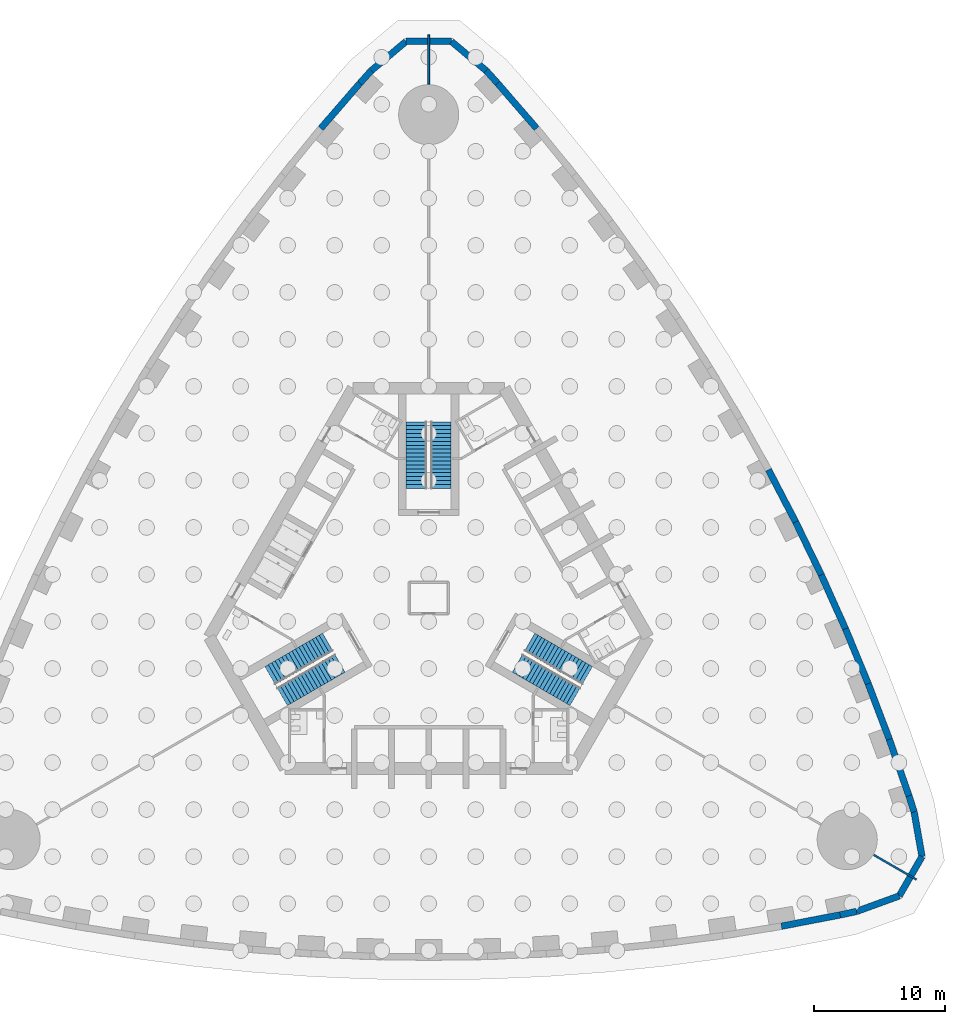
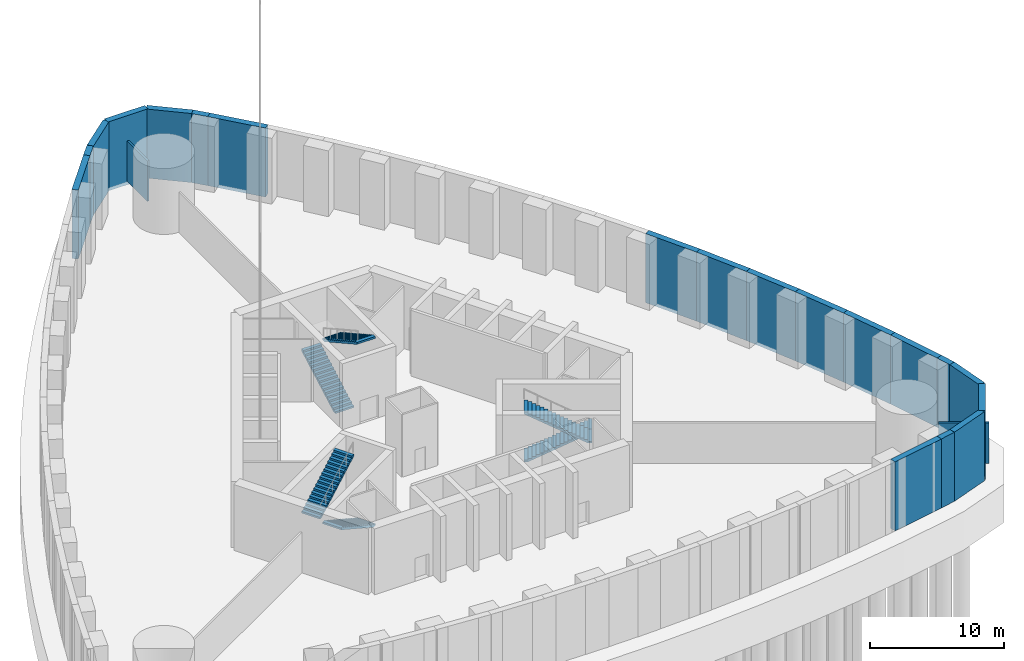
# One storey, part 5 of 12: 21 walls, 6 stair flights, 3 elements without a shape of their own.
"""IFC4 building model written with IfcOpenShell, lengths in metres."""

from ifc_helpers import new_model, si_unit, direction, frame, frame_2d, origin, place, context, subcontext, project, spatial, polyline, rectangle, outline, extrude, material, layer, layer_set, type_object, element, aggregate, save


model = new_model("IFC4")

# Units and contexts
model_context = context("Model", 3, precision=1e-05, world=origin(), true_north=direction((0.0, 1.0)))
body_context = subcontext(model_context, "Body", "Model", "MODEL_VIEW")
ifc_project = project(units=[si_unit("LENGTHUNIT", "METRE"), si_unit("AREAUNIT", "SQUARE_METRE"), si_unit("VOLUMEUNIT", "CUBIC_METRE"), si_unit("PLANEANGLEUNIT", "RADIAN"), si_unit("MASSUNIT", "GRAM", prefix="KILO")], contexts=[model_context])

# Site, building, storey
site_placement = place(None, origin())
site = spatial("IfcSite", under=ifc_project, at=site_placement, CompositionType="ELEMENT")
building_placement = place(site_placement, origin())
building = spatial("IfcBuilding", under=site, at=building_placement, Name="Trefoil Bronze Tower", CompositionType="ELEMENT")
storey_placement = place(building_placement, frame((0.0, 0.0, -6.0)))
storey = spatial("IfcBuildingStorey", under=building, at=storey_placement, Name="B1", CompositionType="ELEMENT", Elevation=-6.0)

# Walls
ifc_material_1 = material(Name="Concrete B40", Category="concrete")
ifc_layer_1 = layer(ifc_material_1, 0.5)
ifc_layer_set_1 = layer_set([ifc_layer_1], Name="Basement wall 500")
wall_type_1 = type_object("IfcWallType", Name="Basement wall 500", PredefinedType="SOLIDWALL", material=ifc_layer_set_1)
wall_1_placement = place(storey_placement, frame((27.0, -25.13037109375, -0.300048828125), z_axis=(0.0, 0.0, 1.0), x_axis=(0.982052021543, 0.188610251533, 0.0)))
element("IfcWall", 1, at=wall_1_placement, inside=storey, type_object=wall_type_1, Name="Basement wall 15", PredefinedType="SOLIDWALL", context=body_context, shape_type="SweptSolid", body=[
    extrude(rectangle(XDim=4.582275390625, YDim=0.5, at=frame_2d((2.291015625, 0.0))), origin(), (0.0, 0.0, 1.0), 6.300048828125),
])
wall_2_placement = place(storey_placement, frame((31.5, -24.26611328125, -0.300048828125), z_axis=(0.0, 0.0, 1.0), x_axis=(0.978306217861, 0.207164051162, 0.0)))
element("IfcWall", 2, at=wall_2_placement, inside=storey, type_object=wall_type_1, Name="Basement wall 16", PredefinedType="SOLIDWALL", context=body_context, shape_type="SweptSolid", body=[
    extrude(rectangle(XDim=1.29052734375, YDim=0.5, at=frame_2d((0.645263671875, 0.0))), origin(), (0.0, 0.0, 1.0), 6.300048828125),
])
wall_3_placement = place(storey_placement, frame((32.762451171875, -23.998779296875, -0.300048828125), z_axis=(0.0, 0.0, 1.0), x_axis=(0.939670360459, 0.342081296881, 0.0)))
element("IfcWall", 3, at=wall_3_placement, inside=storey, type_object=wall_type_1, Name="Basement wall 17", PredefinedType="SOLIDWALL", context=body_context, shape_type="SweptSolid", body=[
    extrude(rectangle(XDim=3.47705078125, YDim=0.5, at=frame_2d((1.738525390625, 0.0))), origin(), (0.0, 0.0, 1.0), 6.300048828125),
])
wall_4_placement = place(storey_placement, frame((36.02978515625, -22.809326171875, -0.300048828125), z_axis=(0.0, 0.0, 1.0), x_axis=(0.500050645587, 0.865996161566, 0.0)))
element("IfcWall", 4, at=wall_4_placement, inside=storey, type_object=wall_type_1, Name="Basement wall 18", PredefinedType="SOLIDWALL", context=body_context, shape_type="SweptSolid", body=[
    extrude(rectangle(XDim=3.477294921875, YDim=0.5, at=frame_2d((1.73876953125, 0.0))), origin(), (0.0, 0.0, 1.0), 6.300048828125),
])
wall_5_placement = place(storey_placement, frame((37.7685546875, -19.798095703125, -0.300048828125), z_axis=(0.0, 0.0, 1.0), x_axis=(-0.173637130351, 0.984809700888, 0.0)))
element("IfcWall", 5, at=wall_5_placement, inside=storey, type_object=wall_type_1, Name="Basement wall 19", PredefinedType="SOLIDWALL", context=body_context, shape_type="SweptSolid", body=[
    extrude(rectangle(XDim=3.47705078125, YDim=0.5, at=frame_2d((1.738525390625, 0.0))), origin(), (0.0, 0.0, 1.0), 6.300048828125),
])
wall_6_placement = place(storey_placement, frame((37.164794921875, -16.373779296875, -0.300048828125), z_axis=(0.0, 0.0, 1.0), x_axis=(-0.309693449929, 0.950836456532, 0.0)))
element("IfcWall", 6, at=wall_6_placement, inside=storey, type_object=wall_type_1, Name="Basement wall 20", PredefinedType="SOLIDWALL", context=body_context, shape_type="SweptSolid", body=[
    extrude(rectangle(XDim=1.29052734375, YDim=0.5, at=frame_2d((0.645263671875, 0.0))), origin(), (0.0, 0.0, 1.0), 6.300048828125),
])
wall_7_placement = place(storey_placement, frame((36.76513671875, -15.146728515625, -0.300048828125), z_axis=(0.0, 0.0, 1.0), x_axis=(-0.327712531041, 0.944777485442, 0.0)))
element("IfcWall", 7, at=wall_7_placement, inside=storey, type_object=wall_type_1, Name="Basement wall 21", PredefinedType="SOLIDWALL", context=body_context, shape_type="SweptSolid", body=[
    extrude(rectangle(XDim=4.582275390625, YDim=0.5, at=frame_2d((2.291015625, 0.0))), origin(), (0.0, 0.0, 1.0), 6.300048828125),
])
wall_8_placement = place(storey_placement, frame((35.263427734375, -10.8173828125, -0.300048828125), z_axis=(0.0, 0.0, 1.0), x_axis=(-0.355369393324, 0.934725946087, 0.0)))
element("IfcWall", 8, at=wall_8_placement, inside=storey, type_object=wall_type_1, Name="Basement wall 22", PredefinedType="SOLIDWALL", context=body_context, shape_type="SweptSolid", body=[
    extrude(rectangle(XDim=4.558349609375, YDim=0.5, at=frame_2d((2.279296875, 0.0))), origin(), (0.0, 0.0, 1.0), 6.300048828125),
])
wall_9_placement = place(storey_placement, frame((33.6435546875, -6.556640625, -0.300048828125), z_axis=(0.0, 0.0, 1.0), x_axis=(-0.382594071331, 0.923916542001, 0.0)))
element("IfcWall", 9, at=wall_9_placement, inside=storey, type_object=wall_type_1, Name="Basement wall 23", PredefinedType="SOLIDWALL", context=body_context, shape_type="SweptSolid", body=[
    extrude(rectangle(XDim=4.5390625, YDim=0.5, at=frame_2d((2.26953125, 0.0))), origin(), (0.0, 0.0, 1.0), 6.300048828125),
])
wall_10_placement = place(storey_placement, frame((31.906982421875, -2.363037109375, -0.300048828125), z_axis=(0.0, 0.0, 1.0), x_axis=(-0.409495979977, 0.912311921649, 0.0)))
element("IfcWall", 10, at=wall_10_placement, inside=storey, type_object=wall_type_1, Name="Basement wall 24", PredefinedType="SOLIDWALL", context=body_context, shape_type="SweptSolid", body=[
    extrude(rectangle(XDim=4.5234375, YDim=0.5, at=frame_2d((2.26171875, 0.0))), origin(), (0.0, 0.0, 1.0), 6.300048828125),
])
wall_11_placement = place(storey_placement, frame((30.0546875, 1.763671875, -0.300048828125), z_axis=(0.0, 0.0, 1.0), x_axis=(-0.435857917556, 0.900015486369, 0.0)))
element("IfcWall", 11, at=wall_11_placement, inside=storey, type_object=wall_type_1, Name="Basement wall 25", PredefinedType="SOLIDWALL", context=body_context, shape_type="SweptSolid", body=[
    extrude(rectangle(XDim=4.511962890625, YDim=0.5, at=frame_2d((2.255859375, 0.0))), origin(), (0.0, 0.0, 1.0), 6.300048828125),
])
wall_12_placement = place(storey_placement, frame((28.088134765625, 5.824462890625, -0.300048828125), z_axis=(0.0, 0.0, 1.0), x_axis=(-0.461810056307, 0.886978845235, 0.0)))
element("IfcWall", 12, at=wall_12_placement, inside=storey, type_object=wall_type_1, Name="Basement wall 26", PredefinedType="SOLIDWALL", context=body_context, shape_type="SweptSolid", body=[
    extrude(rectangle(XDim=4.504150390625, YDim=0.5, at=frame_2d((2.251953125, 0.0))), origin(), (0.0, 0.0, 1.0), 6.300048828125),
])
wall_13_placement = place(storey_placement, frame((8.263427734375, 35.94775390625, -0.300048828125), z_axis=(0.0, 0.0, 1.0), x_axis=(-0.654333975029, 0.756205692337, 0.0)))
element("IfcWall", 13, at=wall_13_placement, inside=storey, type_object=wall_type_1, Name="Basement wall 34", PredefinedType="SOLIDWALL", context=body_context, shape_type="SweptSolid", body=[
    extrude(rectangle(XDim=4.582275390625, YDim=0.5, at=frame_2d((2.291015625, 0.0))), origin(), (0.0, 0.0, 1.0), 6.300048828125),
])
wall_14_placement = place(storey_placement, frame((5.26513671875, 39.412841796875, -0.300048828125), z_axis=(0.0, 0.0, 1.0), x_axis=(-0.668651072353, 0.743576319849, 0.0)))
element("IfcWall", 14, at=wall_14_placement, inside=storey, type_object=wall_type_1, Name="Basement wall 35", PredefinedType="SOLIDWALL", context=body_context, shape_type="SweptSolid", body=[
    extrude(rectangle(XDim=1.290283203125, YDim=0.5, at=frame_2d((0.64501953125, 0.0))), origin(), (0.0, 0.0, 1.0), 6.300048828125),
])
wall_15_placement = place(storey_placement, frame((4.40234375, 40.372314453125, -0.300048828125), z_axis=(0.0, 0.0, 1.0), x_axis=(-0.766058827318, 0.642770466877, 0.0)))
element("IfcWall", 15, at=wall_15_placement, inside=storey, type_object=wall_type_1, Name="Basement wall 36", PredefinedType="SOLIDWALL", context=body_context, shape_type="SweptSolid", body=[
    extrude(rectangle(XDim=3.477294921875, YDim=0.5, at=frame_2d((1.73876953125, 0.0))), origin(), (0.0, 0.0, 1.0), 6.300048828125),
])
wall_16_placement = place(storey_placement, frame((1.738525390625, 42.607421875, -0.300048828125), z_axis=(0.0, 0.0, 1.0), x_axis=(-1.0, 0.0, 0.0)))
element("IfcWall", 16, at=wall_16_placement, inside=storey, type_object=wall_type_1, Name="Basement wall 37", PredefinedType="SOLIDWALL", context=body_context, shape_type="SweptSolid", body=[
    extrude(rectangle(XDim=3.47705078125, YDim=0.5, at=frame_2d((1.738525390625, 0.0))), origin(), (0.0, 0.0, 1.0), 6.300048828125),
])
wall_17_placement = place(storey_placement, frame((-1.738525390625, 42.607421875, -0.300048828125), z_axis=(0.0, 0.0, 1.0), x_axis=(-0.766058827318, -0.642770466877, 0.0)))
element("IfcWall", 17, at=wall_17_placement, inside=storey, type_object=wall_type_1, Name="Basement wall 38", PredefinedType="SOLIDWALL", context=body_context, shape_type="SweptSolid", body=[
    extrude(rectangle(XDim=3.477294921875, YDim=0.5, at=frame_2d((1.73876953125, 0.0))), origin(), (0.0, 0.0, 1.0), 6.300048828125),
])
wall_18_placement = place(storey_placement, frame((-4.40234375, 40.372314453125, -0.300048828125), z_axis=(0.0, 0.0, 1.0), x_axis=(-0.668651072353, -0.743576319849, 0.0)))
element("IfcWall", 18, at=wall_18_placement, inside=storey, type_object=wall_type_1, Name="Basement wall 39", PredefinedType="SOLIDWALL", context=body_context, shape_type="SweptSolid", body=[
    extrude(rectangle(XDim=1.290283203125, YDim=0.5, at=frame_2d((0.64501953125, 0.0))), origin(), (0.0, 0.0, 1.0), 6.300048828125),
])
wall_19_placement = place(storey_placement, frame((-5.26513671875, 39.412841796875, -0.300048828125), z_axis=(0.0, 0.0, 1.0), x_axis=(-0.654333975029, -0.756205692337, 0.0)))
element("IfcWall", 19, at=wall_19_placement, inside=storey, type_object=wall_type_1, Name="Basement wall 40", PredefinedType="SOLIDWALL", context=body_context, shape_type="SweptSolid", body=[
    extrude(rectangle(XDim=4.582275390625, YDim=0.5, at=frame_2d((2.291015625, 0.0))), origin(), (0.0, 0.0, 1.0), 6.300048828125),
])
ifc_material_2 = material(Name="Gypsum board on steel studs", Category="steel")
ifc_layer_2 = layer(ifc_material_2, 0.14990234375)
ifc_layer_set_2 = layer_set([ifc_layer_2], Name="Party wall 150")
wall_type_2 = type_object("IfcWallType", Name="Party wall 150", PredefinedType="PARTITIONING", material=ifc_layer_set_2)
wall_20_placement = place(storey_placement, frame((34.078125, -19.675048828125, 0.0), z_axis=(0.0, 0.0, 1.0), x_axis=(0.866019247219, -0.500010663332, 0.0)))
element("IfcWall", 20, at=wall_20_placement, inside=storey, type_object=wall_type_2, Name="Party wall K1 B1", PredefinedType="PARTITIONING", context=body_context, shape_type="SweptSolid", body=[
    extrude(rectangle(XDim=3.76416015625, YDim=0.14990234375, at=frame_2d((1.882080078125, 0.0))), origin(), (0.0, 0.0, 1.0), 3.699951171875),
])
wall_21_placement = place(storey_placement, frame((0.0, 39.35009765625, 0.0), z_axis=(0.0, 0.0, 1.0), x_axis=(0.0, 1.0, 0.0)))
element("IfcWall", 21, at=wall_21_placement, inside=storey, type_object=wall_type_2, Name="Party wall K2 B1", PredefinedType="PARTITIONING", context=body_context, shape_type="SweptSolid", body=[
    extrude(rectangle(XDim=3.763916015625, YDim=0.14990234375, at=frame_2d((1.8818359375, 0.0))), origin(), (0.0, 0.0, 1.0), 3.699951171875),
])

# Stair, stair flights
ifc_material_3 = material(Name="Precast concrete B80", Category="concrete")
stair_type = type_object("IfcStairType", Name="Exit stair 36 risers", PredefinedType="HALF_TURN_STAIR", material=ifc_material_3)
stair_1_placement = place(storey_placement, origin())
stair_1 = element("IfcStair", 22, at=stair_1_placement, inside=storey, type_object=stair_type, Name="Stair ST1 B1", PredefinedType="HALF_TURN_STAIR")
ifc_material_4 = material(Name="Precast concrete B80", Category="concrete")
stair_flight_type = type_object("IfcStairFlightType", Name="Stair flight 1600", PredefinedType="STRAIGHT", material=ifc_material_4)
stair_flight_1_placement = place(storey_placement, frame((7.728515625, -3.39404296875, 0.0), z_axis=(0.0, 0.0, 1.0), x_axis=(0.866025403784, -0.5, 0.0)))
stair_flight_1 = element("IfcStairFlight", 23, at=stair_flight_1_placement, type_object=stair_flight_type, Name="ST1 flight 1", NumberOfRisers=18, NumberOfTreads=17, PredefinedType="STRAIGHT", RiserHeight=0.166666667, TreadLength=0.3, context=body_context, shape_type="SweptSolid", body=[
    extrude(outline(polyline([(0.0, 0.0), (0.0, 0.166748046875), (0.300048828125, 0.166748046875), (0.300048828125, 0.333251953125), (0.60009765625, 0.333251953125), (0.60009765625, 0.5), (0.89990234375, 0.5), (0.89990234375, 0.666748046875), (1.199951171875, 0.666748046875), (1.199951171875, 0.833251953125), (1.5, 0.833251953125), (1.5, 1.0), (1.800048828125, 1.0), (1.800048828125, 1.166748046875), (2.10009765625, 1.166748046875), (2.10009765625, 1.333251953125), (2.39990234375, 1.333251953125), (2.39990234375, 1.5), (2.699951171875, 1.5), (2.699951171875, 1.666748046875), (3.0, 1.666748046875), (3.0, 1.833251953125), (3.300048828125, 1.833251953125), (3.300048828125, 2.0), (3.60009765625, 2.0), (3.60009765625, 2.166748046875), (3.89990234375, 2.166748046875), (3.89990234375, 2.333251953125), (4.199951171875, 2.333251953125), (4.199951171875, 2.5), (4.5, 2.5), (4.5, 2.666748046875), (4.800048828125, 2.666748046875), (4.800048828125, 2.833251953125), (5.10009765625, 2.833251953125), (5.10009765625, 3.0), (5.10009765625, 2.661865234375), (0.30859375, 0.0), (0.0, 0.0)])), frame((0.0, 0.800048828125, 0.0), z_axis=(0.0, -1.0, 0.0), x_axis=(1.0, 0.0, 0.0)), (0.0, 0.0, 1.0), 1.60009765625),
])
stair_flight_2_placement = place(storey_placement, frame((11.22021484375, -7.546142578125, 3.0), z_axis=(0.0, 0.0, 1.0), x_axis=(-0.866025403784, 0.5, 0.0)))
stair_flight_2 = element("IfcStairFlight", 24, at=stair_flight_2_placement, type_object=stair_flight_type, Name="ST1 flight 2", NumberOfRisers=18, NumberOfTreads=17, PredefinedType="STRAIGHT", RiserHeight=0.166666667, TreadLength=0.3, context=body_context, shape_type="SweptSolid", body=[
    extrude(outline(polyline([(0.0, 0.0), (0.0, 0.166748046875), (0.300048828125, 0.166748046875), (0.300048828125, 0.333251953125), (0.60009765625, 0.333251953125), (0.60009765625, 0.5), (0.89990234375, 0.5), (0.89990234375, 0.666748046875), (1.199951171875, 0.666748046875), (1.199951171875, 0.833251953125), (1.5, 0.833251953125), (1.5, 1.0), (1.800048828125, 1.0), (1.800048828125, 1.166748046875), (2.10009765625, 1.166748046875), (2.10009765625, 1.333251953125), (2.39990234375, 1.333251953125), (2.39990234375, 1.5), (2.699951171875, 1.5), (2.699951171875, 1.666748046875), (3.0, 1.666748046875), (3.0, 1.833251953125), (3.300048828125, 1.833251953125), (3.300048828125, 2.0), (3.60009765625, 2.0), (3.60009765625, 2.166748046875), (3.89990234375, 2.166748046875), (3.89990234375, 2.333251953125), (4.199951171875, 2.333251953125), (4.199951171875, 2.5), (4.5, 2.5), (4.5, 2.666748046875), (4.800048828125, 2.666748046875), (4.800048828125, 2.833251953125), (5.10009765625, 2.833251953125), (5.10009765625, 3.0), (5.10009765625, 2.661865234375), (0.30859375, 0.0), (0.0, 0.0)])), frame((0.0, 0.800048828125, 0.0), z_axis=(0.0, -1.0, 0.0), x_axis=(1.0, 0.0, 0.0)), (0.0, 0.0, 1.0), 1.60009765625),
])
aggregate(stair_1, [stair_flight_1, stair_flight_2])

stair_2_placement = place(storey_placement, origin())
stair_2 = element("IfcStair", 25, at=stair_2_placement, inside=storey, type_object=stair_type, Name="Stair ST2 B1", PredefinedType="HALF_TURN_STAIR")
stair_flight_3_placement = place(storey_placement, frame((-0.925048828125, 8.389892578125, 0.0), z_axis=(0.0, 0.0, 1.0), x_axis=(0.0, 1.0, 0.0)))
stair_flight_3 = element("IfcStairFlight", 26, at=stair_flight_3_placement, type_object=stair_flight_type, Name="ST2 flight 1", NumberOfRisers=18, NumberOfTreads=17, PredefinedType="STRAIGHT", RiserHeight=0.166666667, TreadLength=0.3, context=body_context, shape_type="SweptSolid", body=[
    extrude(outline(polyline([(0.0, 0.0), (0.0, 0.166748046875), (0.300048828125, 0.166748046875), (0.300048828125, 0.333251953125), (0.60009765625, 0.333251953125), (0.60009765625, 0.5), (0.89990234375, 0.5), (0.89990234375, 0.666748046875), (1.199951171875, 0.666748046875), (1.199951171875, 0.833251953125), (1.5, 0.833251953125), (1.5, 1.0), (1.800048828125, 1.0), (1.800048828125, 1.166748046875), (2.10009765625, 1.166748046875), (2.10009765625, 1.333251953125), (2.39990234375, 1.333251953125), (2.39990234375, 1.5), (2.699951171875, 1.5), (2.699951171875, 1.666748046875), (3.0, 1.666748046875), (3.0, 1.833251953125), (3.300048828125, 1.833251953125), (3.300048828125, 2.0), (3.60009765625, 2.0), (3.60009765625, 2.166748046875), (3.89990234375, 2.166748046875), (3.89990234375, 2.333251953125), (4.199951171875, 2.333251953125), (4.199951171875, 2.5), (4.5, 2.5), (4.5, 2.666748046875), (4.800048828125, 2.666748046875), (4.800048828125, 2.833251953125), (5.10009765625, 2.833251953125), (5.10009765625, 3.0), (5.10009765625, 2.661865234375), (0.30859375, 0.0), (0.0, 0.0)])), frame((0.0, 0.800048828125, 0.0), z_axis=(0.0, -1.0, 0.0), x_axis=(1.0, 0.0, 0.0)), (0.0, 0.0, 1.0), 1.60009765625),
])
stair_flight_4_placement = place(storey_placement, frame((0.925048828125, 13.489990234375, 3.0), z_axis=(0.0, 0.0, 1.0), x_axis=(0.0, -1.0, 0.0)))
stair_flight_4 = element("IfcStairFlight", 27, at=stair_flight_4_placement, type_object=stair_flight_type, Name="ST2 flight 2", NumberOfRisers=18, NumberOfTreads=17, PredefinedType="STRAIGHT", RiserHeight=0.166666667, TreadLength=0.3, context=body_context, shape_type="SweptSolid", body=[
    extrude(outline(polyline([(0.0, 0.0), (0.0, 0.166748046875), (0.300048828125, 0.166748046875), (0.300048828125, 0.333251953125), (0.60009765625, 0.333251953125), (0.60009765625, 0.5), (0.89990234375, 0.5), (0.89990234375, 0.666748046875), (1.199951171875, 0.666748046875), (1.199951171875, 0.833251953125), (1.5, 0.833251953125), (1.5, 1.0), (1.800048828125, 1.0), (1.800048828125, 1.166748046875), (2.10009765625, 1.166748046875), (2.10009765625, 1.333251953125), (2.39990234375, 1.333251953125), (2.39990234375, 1.5), (2.699951171875, 1.5), (2.699951171875, 1.666748046875), (3.0, 1.666748046875), (3.0, 1.833251953125), (3.300048828125, 1.833251953125), (3.300048828125, 2.0), (3.60009765625, 2.0), (3.60009765625, 2.166748046875), (3.89990234375, 2.166748046875), (3.89990234375, 2.333251953125), (4.199951171875, 2.333251953125), (4.199951171875, 2.5), (4.5, 2.5), (4.5, 2.666748046875), (4.800048828125, 2.666748046875), (4.800048828125, 2.833251953125), (5.10009765625, 2.833251953125), (5.10009765625, 3.0), (5.10009765625, 2.661865234375), (0.30859375, 0.0), (0.0, 0.0)])), frame((0.0, 0.800048828125, 0.0), z_axis=(0.0, -1.0, 0.0), x_axis=(1.0, 0.0, 0.0)), (0.0, 0.0, 1.0), 1.60009765625),
])
aggregate(stair_2, [stair_flight_3, stair_flight_4])

stair_3_placement = place(storey_placement, origin())
stair_3 = element("IfcStair", 28, at=stair_3_placement, inside=storey, type_object=stair_type, Name="Stair ST3 B1", PredefinedType="HALF_TURN_STAIR")
stair_flight_5_placement = place(storey_placement, frame((-6.803466796875, -4.99609375, 0.0), z_axis=(0.0, 0.0, 1.0), x_axis=(-0.866025403784, -0.5, 0.0)))
stair_flight_5 = element("IfcStairFlight", 29, at=stair_flight_5_placement, type_object=stair_flight_type, Name="ST3 flight 1", NumberOfRisers=18, NumberOfTreads=17, PredefinedType="STRAIGHT", RiserHeight=0.166666667, TreadLength=0.3, context=body_context, shape_type="SweptSolid", body=[
    extrude(outline(polyline([(0.0, 0.0), (0.0, 0.166748046875), (0.300048828125, 0.166748046875), (0.300048828125, 0.333251953125), (0.60009765625, 0.333251953125), (0.60009765625, 0.5), (0.89990234375, 0.5), (0.89990234375, 0.666748046875), (1.199951171875, 0.666748046875), (1.199951171875, 0.833251953125), (1.5, 0.833251953125), (1.5, 1.0), (1.800048828125, 1.0), (1.800048828125, 1.166748046875), (2.10009765625, 1.166748046875), (2.10009765625, 1.333251953125), (2.39990234375, 1.333251953125), (2.39990234375, 1.5), (2.699951171875, 1.5), (2.699951171875, 1.666748046875), (3.0, 1.666748046875), (3.0, 1.833251953125), (3.300048828125, 1.833251953125), (3.300048828125, 2.0), (3.60009765625, 2.0), (3.60009765625, 2.166748046875), (3.89990234375, 2.166748046875), (3.89990234375, 2.333251953125), (4.199951171875, 2.333251953125), (4.199951171875, 2.5), (4.5, 2.5), (4.5, 2.666748046875), (4.800048828125, 2.666748046875), (4.800048828125, 2.833251953125), (5.10009765625, 2.833251953125), (5.10009765625, 3.0), (5.10009765625, 2.661865234375), (0.30859375, 0.0), (0.0, 0.0)])), frame((0.0, 0.800048828125, 0.0), z_axis=(0.0, -1.0, 0.0), x_axis=(1.0, 0.0, 0.0)), (0.0, 0.0, 1.0), 1.60009765625),
])
stair_flight_6_placement = place(storey_placement, frame((-12.145263671875, -5.94384765625, 3.0), z_axis=(0.0, 0.0, 1.0), x_axis=(0.866025403784, 0.5, 0.0)))
stair_flight_6 = element("IfcStairFlight", 30, at=stair_flight_6_placement, type_object=stair_flight_type, Name="ST3 flight 2", NumberOfRisers=18, NumberOfTreads=17, PredefinedType="STRAIGHT", RiserHeight=0.166666667, TreadLength=0.3, context=body_context, shape_type="SweptSolid", body=[
    extrude(outline(polyline([(0.0, 0.0), (0.0, 0.166748046875), (0.300048828125, 0.166748046875), (0.300048828125, 0.333251953125), (0.60009765625, 0.333251953125), (0.60009765625, 0.5), (0.89990234375, 0.5), (0.89990234375, 0.666748046875), (1.199951171875, 0.666748046875), (1.199951171875, 0.833251953125), (1.5, 0.833251953125), (1.5, 1.0), (1.800048828125, 1.0), (1.800048828125, 1.166748046875), (2.10009765625, 1.166748046875), (2.10009765625, 1.333251953125), (2.39990234375, 1.333251953125), (2.39990234375, 1.5), (2.699951171875, 1.5), (2.699951171875, 1.666748046875), (3.0, 1.666748046875), (3.0, 1.833251953125), (3.300048828125, 1.833251953125), (3.300048828125, 2.0), (3.60009765625, 2.0), (3.60009765625, 2.166748046875), (3.89990234375, 2.166748046875), (3.89990234375, 2.333251953125), (4.199951171875, 2.333251953125), (4.199951171875, 2.5), (4.5, 2.5), (4.5, 2.666748046875), (4.800048828125, 2.666748046875), (4.800048828125, 2.833251953125), (5.10009765625, 2.833251953125), (5.10009765625, 3.0), (5.10009765625, 2.661865234375), (0.30859375, 0.0), (0.0, 0.0)])), frame((0.0, 0.800048828125, 0.0), z_axis=(0.0, -1.0, 0.0), x_axis=(1.0, 0.0, 0.0)), (0.0, 0.0, 1.0), 1.60009765625),
])
aggregate(stair_3, [stair_flight_5, stair_flight_6])

save(model, "model.ifc")
